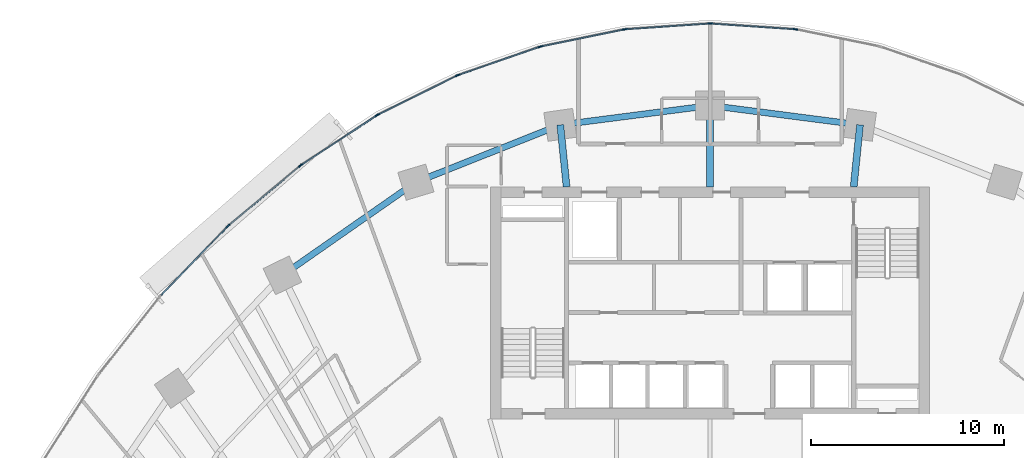
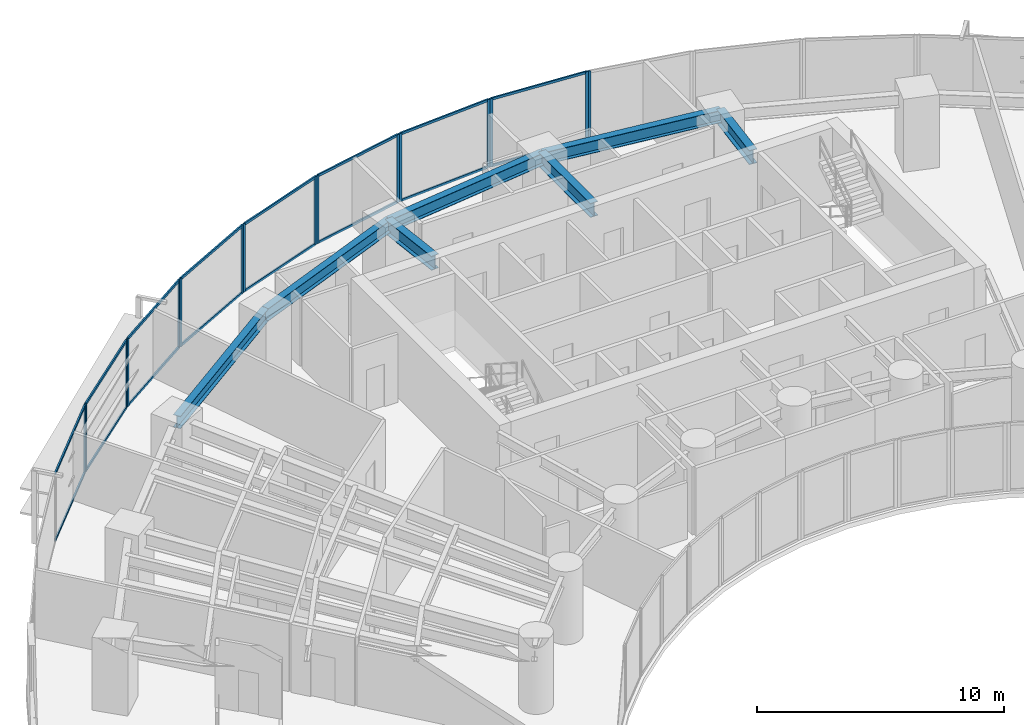
# One storey, part 6 of 17: 32 members, 7 beams, 9 elements without a shape of their own.
"""IFC4 building model written with IfcOpenShell, lengths in metres."""

from ifc_helpers import new_model, si_unit, direction, frame, origin, origin_2d, place, context, subcontext, project, spatial, rectangle, i_section, extrude, source, transform, mapped, material, layer, layer_set, material_profile, profile_set, type_object, type_shapes, element, aggregate, save


model = new_model("IFC4")

# Units and contexts
model_context = context("Model", 3, precision=1e-05, world=origin(), true_north=direction((0.0, 1.0)))
body_context = subcontext(model_context, "Body", "Model", "MODEL_VIEW")
ifc_project = project(units=[si_unit("LENGTHUNIT", "METRE"), si_unit("AREAUNIT", "SQUARE_METRE"), si_unit("VOLUMEUNIT", "CUBIC_METRE"), si_unit("PLANEANGLEUNIT", "RADIAN"), si_unit("MASSUNIT", "GRAM", prefix="KILO")], contexts=[model_context])

# Site, building, storey
site_placement = place(None, origin())
site = spatial("IfcSite", under=ifc_project, at=site_placement, CompositionType="ELEMENT")
building_placement = place(site_placement, origin())
building = spatial("IfcBuilding", under=site, at=building_placement, Name="Breltana Convention Tower", CompositionType="ELEMENT")
storey_placement = place(building_placement, frame((0.0, 0.0, 46.199951171875)))
storey = spatial("IfcBuildingStorey", under=building, at=storey_placement, Name="L09", CompositionType="ELEMENT", Elevation=46.199951171875)

# Beams
ifc_material_1 = material(Name="Steel ASTM A992 Grade 50", Category="steel")
ifc_material_profile_1 = material_profile(ifc_material_1, i_section(OverallWidth=0.323974609375, OverallDepth=0.611083984375, WebThickness=0.0126953125, FlangeThickness=0.01904296875, at=origin_2d()), Name="W24X104")
ifc_profile_set_1 = profile_set([ifc_material_profile_1], Name="Steel ASTM A992 Grade 50")
beam_type_1 = type_object("IfcBeamType", Name="BM-SP-W24X104", PredefinedType="SPANDREL", material=ifc_profile_set_1)
shared_shape_1 = source(origin(), body_context, "Body", "SweptSolid", [
    extrude(i_section(OverallWidth=0.323974609375, OverallDepth=0.611083984375, WebThickness=0.0126953125, FlangeThickness=0.01904296875, at=origin_2d()), origin(), (0.0, 0.0, 1.0), 8.4169921875),
])
beam_1_placement = place(storey_placement, frame((25.8876953125, 67.626953125, 3.054443359375), z_axis=(0.820173800102, 0.572114444519, 0.0), x_axis=(-0.572114444519, 0.820173800102, 0.0)))
element("IfcBeam", 1, at=beam_1_placement, inside=storey, type_object=beam_type_1, Name="L09 Outer Spandrel Beam 03", PredefinedType="SPANDREL", context=body_context, shape_type="MappedRepresentation", body=[
    mapped(shared_shape_1, transform((0.0, 0.0, 0.0), scale=1.0)),
])
shared_shape_2 = source(origin(), body_context, "Body", "SweptSolid", [
    extrude(i_section(OverallWidth=0.323974609375, OverallDepth=0.611083984375, WebThickness=0.0126953125, FlangeThickness=0.01904296875, at=origin_2d()), origin(), (0.0, 0.0, 1.0), 8.028564453125),
])
beam_2_placement = place(storey_placement, frame((32.791015625, 72.4423828125, 3.054443359375), z_axis=(0.929459100394, 0.368925169507, 0.0), x_axis=(-0.368925169507, 0.929459100394, 0.0)))
element("IfcBeam", 2, at=beam_2_placement, inside=storey, type_object=beam_type_1, Name="L09 Outer Spandrel Beam 04", PredefinedType="SPANDREL", context=body_context, shape_type="MappedRepresentation", body=[
    mapped(shared_shape_2, transform((0.0, 0.0, 0.0), scale=1.0)),
])
shared_shape_3 = source(origin(), body_context, "Body", "SweptSolid", [
    extrude(i_section(OverallWidth=0.323974609375, OverallDepth=0.611083984375, WebThickness=0.0126953125, FlangeThickness=0.01904296875, at=origin_2d()), origin(), (0.0, 0.0, 1.0), 7.81103515625),
])
for number, where, z_axis, x_axis, name in (
    (3, (40.253173828125, 75.404296875, 3.054443359375), (0.991775179127, 0.127992164083, 0.0), (-0.127992164083, 0.991775179127, 0.0), "L09 Outer Spandrel Beam 05"),
    (4, (48.0, 76.404052734375, 3.054443359375), (0.991775179127, -0.127992164083, 0.0), (0.127992164083, 0.991775179127, 0.0), "L09 Outer Spandrel Beam 06"),
):
    element("IfcBeam", number, at=place(storey_placement, frame(where, z_axis=z_axis, x_axis=x_axis)), inside=storey, type_object=beam_type_1, Name=name, PredefinedType="SPANDREL", context=body_context, shape_type="MappedRepresentation", body=[
        mapped(shared_shape_3, transform((0.0, 0.0, 0.0), scale=1.0)),
    ])
ifc_material_profile_2 = material_profile(ifc_material_1, i_section(OverallWidth=0.35498046875, OverallDepth=0.696044921875, WebThickness=0.015380859375, FlangeThickness=0.02490234375, at=origin_2d()), Name="W27X146")
ifc_profile_set_2 = profile_set([ifc_material_profile_2], Name="Steel ASTM A992 Grade 50")
beam_type_2 = type_object("IfcBeamType", Name="BM-RG-W27X146", PredefinedType="USERDEFINED", material=ifc_profile_set_2)
shared_shape_4 = source(origin(), body_context, "Body", "SweptSolid", [
    extrude(i_section(OverallWidth=0.35498046875, OverallDepth=0.696044921875, WebThickness=0.015380859375, FlangeThickness=0.02490234375, at=origin_2d()), origin(), (0.0, 0.0, 1.0), 3.220947265625),
])
for number, where, z_axis, x_axis, name in (
    (5, (40.580078125, 72.199951171875, 3.011962890625), (-0.101492254858, 0.994836329355, 0.0), (-0.994836329355, -0.101492254858, 0.0), "L09 North Core Radial Girder R05"),
    (6, (55.419921875, 72.199951171875, 3.011962890625), (0.101492254858, 0.994836329355, 0.0), (-0.994836329355, 0.101492254858, 0.0), "L09 North Core Radial Girder R07"),
):
    element("IfcBeam", number, at=place(storey_placement, frame(where, z_axis=z_axis, x_axis=x_axis)), inside=storey, type_object=beam_type_2, Name=name, ObjectType="GIRDER", PredefinedType="USERDEFINED", context=body_context, shape_type="MappedRepresentation", body=[
        mapped(shared_shape_4, transform((0.0, 0.0, 0.0), scale=1.0)),
    ])
shared_shape_5 = source(origin(), body_context, "Body", "SweptSolid", [
    extrude(i_section(OverallWidth=0.35498046875, OverallDepth=0.696044921875, WebThickness=0.015380859375, FlangeThickness=0.02490234375, at=origin_2d()), origin(), (0.0, 0.0, 1.0), 4.2041015625),
])
beam_3_placement = place(storey_placement, frame((48.0, 72.199951171875, 3.011962890625), z_axis=(0.0, 1.0, 0.0), x_axis=(-1.0, 0.0, 0.0)))
element("IfcBeam", 7, at=beam_3_placement, inside=storey, type_object=beam_type_2, Name="L09 North Core Radial Girder R06", ObjectType="GIRDER", PredefinedType="USERDEFINED", context=body_context, shape_type="MappedRepresentation", body=[
    mapped(shared_shape_5, transform((0.0, 0.0, 0.0), scale=1.0)),
])

# Curtain wall, member
ifc_material_2 = material(Name="Aluminium Anodised Bronze Frame", Category="aluminium")
ifc_layer = layer(ifc_material_2, 0.199951171875, Name="Aluminium Anodised Bronze Frame")
ifc_layer_set = layer_set([ifc_layer], Name="Aluminium Anodised Bronze Frame")
curtain_wall_type = type_object("IfcCurtainWallType", Name="CW-SYS-2", PredefinedType="NOTDEFINED", material=ifc_layer_set)
curtain_wall_1_placement = place(storey_placement, origin())
curtain_wall_1 = element("IfcCurtainWall", 8, at=curtain_wall_1_placement, inside=storey, type_object=curtain_wall_type, Name="L09 outer double-skin inner glazing 3", PredefinedType="NOTDEFINED")
ifc_material_3 = material(Name="Aluminium Anodised Bronze", Category="aluminium")
ifc_material_profile_3 = material_profile(ifc_material_3, rectangle(XDim=0.070068359375, YDim=0.175048828125, at=origin_2d()), Name="CWM-70X175")
ifc_profile_set_3 = profile_set([ifc_material_profile_3], Name="Aluminium Anodised Bronze")
member_type_1 = type_object("IfcMemberType", Name="CWM-175", PredefinedType="MULLION", material=ifc_profile_set_3)
shared_shape_6 = source(origin(), body_context, "Body", "SweptSolid", [
    extrude(rectangle(XDim=0.070068359375, YDim=0.175048828125, at=origin_2d()), origin(), (0.0, 0.0, 1.0), 3.360107421875),
])
type_shapes(member_type_1, [shared_shape_6])
member_1_placement = place(storey_placement, frame((23.044189453125, 70.147705078125, 0.0), z_axis=(0.0, 0.0, 1.0), x_axis=(-0.719386421003, 0.694610090106, 0.0)))
member_1 = element("IfcMember", 9, at=member_1_placement, type_object=member_type_1, Name="CW-02 mullion 2", PredefinedType="MULLION", context=body_context, shape_type="MappedRepresentation", body=[
    mapped(shared_shape_6, transform((0.0, 0.0, 0.0), scale=1.0)),
])

# Curtain wall, members
curtain_wall_2_placement = place(storey_placement, origin())
curtain_wall_2 = element("IfcCurtainWall", 10, at=curtain_wall_2_placement, inside=storey, type_object=curtain_wall_type, Name="L09 outer double-skin inner glazing 4", PredefinedType="NOTDEFINED")
member_2_placement = place(storey_placement, frame((23.09521484375, 70.1953125, 0.0), z_axis=(0.0, 0.0, 1.0), x_axis=(-0.640520193554, 0.767941326958, 0.0)))
member_2 = element("IfcMember", 11, at=member_2_placement, type_object=member_type_1, Name="CW-02 mullion 1", PredefinedType="MULLION", context=body_context, shape_type="MappedRepresentation", body=[
    mapped(shared_shape_6, transform((0.0, 0.0, 0.0), scale=1.0)),
])
member_3_placement = place(storey_placement, frame((26.79736328125, 73.283203125, 0.0), z_axis=(0.0, 0.0, 1.0), x_axis=(-0.640520193554, 0.767941326958, 0.0)))
member_3 = element("IfcMember", 12, at=member_3_placement, type_object=member_type_1, Name="CW-02 mullion 2", PredefinedType="MULLION", context=body_context, shape_type="MappedRepresentation", body=[
    mapped(shared_shape_6, transform((0.0, 0.0, 0.0), scale=1.0)),
])

curtain_wall_3_placement = place(storey_placement, origin())
curtain_wall_3 = element("IfcCurtainWall", 13, at=curtain_wall_3_placement, inside=storey, type_object=curtain_wall_type, Name="L09 outer double-skin inner glazing 5", PredefinedType="NOTDEFINED")
member_4_placement = place(storey_placement, frame((26.853515625, 73.32470703125, 0.0), z_axis=(0.0, 0.0, 1.0), x_axis=(-0.548784255746, 0.83596401875, 0.0)))
member_4 = element("IfcMember", 14, at=member_4_placement, type_object=member_type_1, Name="CW-02 mullion 1", PredefinedType="MULLION", context=body_context, shape_type="MappedRepresentation", body=[
    mapped(shared_shape_6, transform((0.0, 0.0, 0.0), scale=1.0)),
])
member_5_placement = place(storey_placement, frame((30.766357421875, 75.8935546875, 0.0), z_axis=(0.0, 0.0, 1.0), x_axis=(-0.548784255746, 0.83596401875, 0.0)))
member_5 = element("IfcMember", 15, at=member_5_placement, type_object=member_type_1, Name="CW-02 mullion 2", PredefinedType="MULLION", context=body_context, shape_type="MappedRepresentation", body=[
    mapped(shared_shape_6, transform((0.0, 0.0, 0.0), scale=1.0)),
])

curtain_wall_4_placement = place(storey_placement, origin())
curtain_wall_4 = element("IfcCurtainWall", 16, at=curtain_wall_4_placement, inside=storey, type_object=curtain_wall_type, Name="L09 outer double-skin inner glazing 6", PredefinedType="NOTDEFINED")
member_6_placement = place(storey_placement, frame((30.8271484375, 75.92822265625, 0.0), z_axis=(0.0, 0.0, 1.0), x_axis=(-0.444107703726, 0.895973407804, 0.0)))
member_6 = element("IfcMember", 17, at=member_6_placement, type_object=member_type_1, Name="CW-02 mullion 1", PredefinedType="MULLION", context=body_context, shape_type="MappedRepresentation", body=[
    mapped(shared_shape_6, transform((0.0, 0.0, 0.0), scale=1.0)),
])
member_7_placement = place(storey_placement, frame((34.910400390625, 77.9521484375, 0.0), z_axis=(0.0, 0.0, 1.0), x_axis=(-0.444107703726, 0.895973407804, 0.0)))
member_7 = element("IfcMember", 18, at=member_7_placement, type_object=member_type_1, Name="CW-02 mullion 2", PredefinedType="MULLION", context=body_context, shape_type="MappedRepresentation", body=[
    mapped(shared_shape_6, transform((0.0, 0.0, 0.0), scale=1.0)),
])

curtain_wall_5_placement = place(storey_placement, origin())
curtain_wall_5 = element("IfcCurtainWall", 19, at=curtain_wall_5_placement, inside=storey, type_object=curtain_wall_type, Name="L09 outer double-skin inner glazing 7", PredefinedType="NOTDEFINED")
member_8_placement = place(storey_placement, frame((34.974853515625, 77.979248046875, 0.0), z_axis=(0.0, 0.0, 1.0), x_axis=(-0.32742834581, 0.944876012163, 0.0)))
member_8 = element("IfcMember", 20, at=member_8_placement, type_object=member_type_1, Name="CW-02 mullion 1", PredefinedType="MULLION", context=body_context, shape_type="MappedRepresentation", body=[
    mapped(shared_shape_6, transform((0.0, 0.0, 0.0), scale=1.0)),
])
member_9_placement = place(storey_placement, frame((39.1875, 79.43896484375, 0.0), z_axis=(0.0, 0.0, 1.0), x_axis=(-0.32742834581, 0.944876012163, 0.0)))
member_9 = element("IfcMember", 21, at=member_9_placement, type_object=member_type_1, Name="CW-02 mullion 2", PredefinedType="MULLION", context=body_context, shape_type="MappedRepresentation", body=[
    mapped(shared_shape_6, transform((0.0, 0.0, 0.0), scale=1.0)),
])

curtain_wall_6_placement = place(storey_placement, origin())
curtain_wall_6 = element("IfcCurtainWall", 22, at=curtain_wall_6_placement, inside=storey, type_object=curtain_wall_type, Name="L09 outer double-skin inner glazing 8", PredefinedType="NOTDEFINED")
member_10_placement = place(storey_placement, frame((39.2548828125, 79.45751953125, 0.0), z_axis=(0.0, 0.0, 1.0), x_axis=(-0.200884537139, 0.979614925743, 0.0)))
member_10 = element("IfcMember", 23, at=member_10_placement, type_object=member_type_1, Name="CW-02 mullion 1", PredefinedType="MULLION", context=body_context, shape_type="MappedRepresentation", body=[
    mapped(shared_shape_6, transform((0.0, 0.0, 0.0), scale=1.0)),
])
member_11_placement = place(storey_placement, frame((43.5537109375, 80.339111328125, 0.0), z_axis=(0.0, 0.0, 1.0), x_axis=(-0.200884537139, 0.979614925743, 0.0)))
member_11 = element("IfcMember", 24, at=member_11_placement, type_object=member_type_1, Name="CW-02 mullion 2", PredefinedType="MULLION", context=body_context, shape_type="MappedRepresentation", body=[
    mapped(shared_shape_6, transform((0.0, 0.0, 0.0), scale=1.0)),
])

curtain_wall_7_placement = place(storey_placement, origin())
curtain_wall_7 = element("IfcCurtainWall", 25, at=curtain_wall_7_placement, inside=storey, type_object=curtain_wall_type, Name="L09 outer double-skin inner glazing 9", PredefinedType="NOTDEFINED")
member_12_placement = place(storey_placement, frame((43.622802734375, 80.348388671875, 0.0), z_axis=(0.0, 0.0, 1.0), x_axis=(-0.067725650529, 0.997703982282, 0.0)))
member_12 = element("IfcMember", 26, at=member_12_placement, type_object=member_type_1, Name="CW-02 mullion 1", PredefinedType="MULLION", context=body_context, shape_type="MappedRepresentation", body=[
    mapped(shared_shape_6, transform((0.0, 0.0, 0.0), scale=1.0)),
])
member_13_placement = place(storey_placement, frame((47.965087890625, 80.643310546875, 0.0), z_axis=(0.0, 0.0, 1.0), x_axis=(-0.067725650529, 0.997703982282, 0.0)))
member_13 = element("IfcMember", 27, at=member_13_placement, type_object=member_type_1, Name="CW-02 mullion 2", PredefinedType="MULLION", context=body_context, shape_type="MappedRepresentation", body=[
    mapped(shared_shape_6, transform((0.0, 0.0, 0.0), scale=1.0)),
])

curtain_wall_8_placement = place(storey_placement, origin())
curtain_wall_8 = element("IfcCurtainWall", 28, at=curtain_wall_8_placement, inside=storey, type_object=curtain_wall_type, Name="L09 outer double-skin inner glazing 10", PredefinedType="NOTDEFINED")
member_14_placement = place(storey_placement, frame((48.034912109375, 80.643310546875, 0.0), z_axis=(0.0, 0.0, 1.0), x_axis=(0.067725650529, 0.997703982282, 0.0)))
member_14 = element("IfcMember", 29, at=member_14_placement, type_object=member_type_1, Name="CW-02 mullion 1", PredefinedType="MULLION", context=body_context, shape_type="MappedRepresentation", body=[
    mapped(shared_shape_6, transform((0.0, 0.0, 0.0), scale=1.0)),
])
member_15_placement = place(storey_placement, frame((52.377197265625, 80.348388671875, 0.0), z_axis=(0.0, 0.0, 1.0), x_axis=(0.067725650529, 0.997703982282, 0.0)))
member_15 = element("IfcMember", 30, at=member_15_placement, type_object=member_type_1, Name="CW-02 mullion 2", PredefinedType="MULLION", context=body_context, shape_type="MappedRepresentation", body=[
    mapped(shared_shape_6, transform((0.0, 0.0, 0.0), scale=1.0)),
])

# Curtain wall, member
curtain_wall_9_placement = place(storey_placement, origin())
curtain_wall_9 = element("IfcCurtainWall", 31, at=curtain_wall_9_placement, inside=storey, type_object=curtain_wall_type, Name="L09 outer double-skin inner glazing 11", PredefinedType="NOTDEFINED")
member_16_placement = place(storey_placement, frame((52.4462890625, 80.339111328125, 0.0), z_axis=(0.0, 0.0, 1.0), x_axis=(0.200884537139, 0.979614925743, 0.0)))
member_16 = element("IfcMember", 32, at=member_16_placement, type_object=member_type_1, Name="CW-02 mullion 1", PredefinedType="MULLION", context=body_context, shape_type="MappedRepresentation", body=[
    mapped(shared_shape_6, transform((0.0, 0.0, 0.0), scale=1.0)),
])
aggregate(curtain_wall_9, [member_16])

# Member
ifc_material_profile_4 = material_profile(ifc_material_3, rectangle(XDim=0.070068359375, YDim=0.1201171875, at=origin_2d()), Name="CWT-70X120")
ifc_profile_set_4 = profile_set([ifc_material_profile_4], Name="Aluminium Anodised Bronze")
member_type_2 = type_object("IfcMemberType", Name="CWT-120", PredefinedType="USERDEFINED", material=ifc_profile_set_4)
shared_shape_7 = source(origin(), body_context, "Body", "SweptSolid", [
    extrude(rectangle(XDim=0.070068359375, YDim=0.1201171875, at=origin_2d()), origin(), (0.0, 0.0, 1.0), 4.901123046875),
])
member_17_placement = place(storey_placement, frame((19.615478515625, 66.5966796875, 0.03515625), z_axis=(0.6945945137, 0.719401460617, 0.0), x_axis=(-0.719401460617, 0.6945945137, 0.0)))
member_17 = element("IfcMember", 33, at=member_17_placement, type_object=member_type_2, Name="CW-02 transom 1.1", ObjectType="TRANSOM", PredefinedType="USERDEFINED", context=body_context, shape_type="MappedRepresentation", body=[
    mapped(shared_shape_7, transform((0.0, 0.0, 0.0), scale=1.0)),
])

member_18_placement = place(storey_placement, frame((19.615478515625, 66.5966796875, 3.324951171875), z_axis=(0.6945945137, 0.719401460617, 0.0), x_axis=(-0.719401460617, 0.6945945137, 0.0)))
member_18 = element("IfcMember", 34, at=member_18_placement, type_object=member_type_2, Name="CW-02 transom 1.2", ObjectType="TRANSOM", PredefinedType="USERDEFINED", context=body_context, shape_type="MappedRepresentation", body=[
    mapped(shared_shape_7, transform((0.0, 0.0, 0.0), scale=1.0)),
])

aggregate(curtain_wall_1, [member_1, member_17, member_18])

shared_shape_8 = source(origin(), body_context, "Body", "SweptSolid", [
    extrude(rectangle(XDim=0.070068359375, YDim=0.1201171875, at=origin_2d()), origin(), (0.0, 0.0, 1.0), 4.7509765625),
])
member_19_placement = place(storey_placement, frame((23.1220703125, 70.2177734375, 0.03515625), z_axis=(0.767951631807, 0.64050783852, 0.0), x_axis=(-0.64050783852, 0.767951631807, 0.0)))
member_19 = element("IfcMember", 35, at=member_19_placement, type_object=member_type_2, Name="CW-02 transom 1.1", ObjectType="TRANSOM", PredefinedType="USERDEFINED", context=body_context, shape_type="MappedRepresentation", body=[
    mapped(shared_shape_8, transform((0.0, 0.0, 0.0), scale=1.0)),
])

member_20_placement = place(storey_placement, frame((23.1220703125, 70.2177734375, 3.324951171875), z_axis=(0.767951631807, 0.64050783852, 0.0), x_axis=(-0.64050783852, 0.767951631807, 0.0)))
member_20 = element("IfcMember", 36, at=member_20_placement, type_object=member_type_2, Name="CW-02 transom 1.2", ObjectType="TRANSOM", PredefinedType="USERDEFINED", context=body_context, shape_type="MappedRepresentation", body=[
    mapped(shared_shape_8, transform((0.0, 0.0, 0.0), scale=1.0)),
])

aggregate(curtain_wall_2, [member_2, member_3, member_19, member_20])

shared_shape_9 = source(origin(), body_context, "Body", "SweptSolid", [
    extrude(rectangle(XDim=0.070068359375, YDim=0.1201171875, at=origin_2d()), origin(), (0.0, 0.0, 1.0), 4.610595703125),
])
member_21_placement = place(storey_placement, frame((26.8828125, 73.343994140625, 0.03515625), z_axis=(0.835956055104, 0.54879638659, 0.0), x_axis=(-0.54879638659, 0.835956055104, 0.0)))
member_21 = element("IfcMember", 37, at=member_21_placement, type_object=member_type_2, Name="CW-02 transom 1.1", ObjectType="TRANSOM", PredefinedType="USERDEFINED", context=body_context, shape_type="MappedRepresentation", body=[
    mapped(shared_shape_9, transform((0.0, 0.0, 0.0), scale=1.0)),
])

member_22_placement = place(storey_placement, frame((26.8828125, 73.343994140625, 3.324951171875), z_axis=(0.835956055104, 0.54879638659, 0.0), x_axis=(-0.54879638659, 0.835956055104, 0.0)))
member_22 = element("IfcMember", 38, at=member_22_placement, type_object=member_type_2, Name="CW-02 transom 1.2", ObjectType="TRANSOM", PredefinedType="USERDEFINED", context=body_context, shape_type="MappedRepresentation", body=[
    mapped(shared_shape_9, transform((0.0, 0.0, 0.0), scale=1.0)),
])

aggregate(curtain_wall_3, [member_4, member_5, member_21, member_22])

shared_shape_10 = source(origin(), body_context, "Body", "SweptSolid", [
    extrude(rectangle(XDim=0.070068359375, YDim=0.1201171875, at=origin_2d()), origin(), (0.0, 0.0, 1.0), 4.487548828125),
])
member_23_placement = place(storey_placement, frame((30.8583984375, 75.94384765625, 0.03515625), z_axis=(0.895977728863, 0.444098986017, 0.0), x_axis=(-0.444098986017, 0.895977728863, 0.0)))
member_23 = element("IfcMember", 39, at=member_23_placement, type_object=member_type_2, Name="CW-02 transom 1.1", ObjectType="TRANSOM", PredefinedType="USERDEFINED", context=body_context, shape_type="MappedRepresentation", body=[
    mapped(shared_shape_10, transform((0.0, 0.0, 0.0), scale=1.0)),
])

member_24_placement = place(storey_placement, frame((30.8583984375, 75.94384765625, 3.324951171875), z_axis=(0.895977728863, 0.444098986017, 0.0), x_axis=(-0.444098986017, 0.895977728863, 0.0)))
member_24 = element("IfcMember", 40, at=member_24_placement, type_object=member_type_2, Name="CW-02 transom 1.2", ObjectType="TRANSOM", PredefinedType="USERDEFINED", context=body_context, shape_type="MappedRepresentation", body=[
    mapped(shared_shape_10, transform((0.0, 0.0, 0.0), scale=1.0)),
])

aggregate(curtain_wall_4, [member_6, member_7, member_23, member_24])

shared_shape_11 = source(origin(), body_context, "Body", "SweptSolid", [
    extrude(rectangle(XDim=0.070068359375, YDim=0.1201171875, at=origin_2d()), origin(), (0.0, 0.0, 1.0), 4.38818359375),
])
member_25_placement = place(storey_placement, frame((35.008056640625, 77.99072265625, 0.03515625), z_axis=(0.944878203019, 0.32742202348, 0.0), x_axis=(-0.32742202348, 0.944878203019, 0.0)))
member_25 = element("IfcMember", 41, at=member_25_placement, type_object=member_type_2, Name="CW-02 transom 1.1", ObjectType="TRANSOM", PredefinedType="USERDEFINED", context=body_context, shape_type="MappedRepresentation", body=[
    mapped(shared_shape_11, transform((0.0, 0.0, 0.0), scale=1.0)),
])

member_26_placement = place(storey_placement, frame((35.008056640625, 77.99072265625, 3.324951171875), z_axis=(0.944878203019, 0.32742202348, 0.0), x_axis=(-0.32742202348, 0.944878203019, 0.0)))
member_26 = element("IfcMember", 42, at=member_26_placement, type_object=member_type_2, Name="CW-02 transom 1.2", ObjectType="TRANSOM", PredefinedType="USERDEFINED", context=body_context, shape_type="MappedRepresentation", body=[
    mapped(shared_shape_11, transform((0.0, 0.0, 0.0), scale=1.0)),
])

aggregate(curtain_wall_5, [member_8, member_9, member_25, member_26])

shared_shape_12 = source(origin(), body_context, "Body", "SweptSolid", [
    extrude(rectangle(XDim=0.070068359375, YDim=0.1201171875, at=origin_2d()), origin(), (0.0, 0.0, 1.0), 4.318359375),
])
member_27_placement = place(storey_placement, frame((39.2890625, 79.464599609375, 0.03515625), z_axis=(0.979616680923, 0.200875977799, 0.0), x_axis=(-0.200875977799, 0.979616680923, 0.0)))
member_27 = element("IfcMember", 43, at=member_27_placement, type_object=member_type_2, Name="CW-02 transom 1.1", ObjectType="TRANSOM", PredefinedType="USERDEFINED", context=body_context, shape_type="MappedRepresentation", body=[
    mapped(shared_shape_12, transform((0.0, 0.0, 0.0), scale=1.0)),
])

member_28_placement = place(storey_placement, frame((39.2890625, 79.464599609375, 3.324951171875), z_axis=(0.979616680923, 0.200875977799, 0.0), x_axis=(-0.200875977799, 0.979616680923, 0.0)))
member_28 = element("IfcMember", 44, at=member_28_placement, type_object=member_type_2, Name="CW-02 transom 1.2", ObjectType="TRANSOM", PredefinedType="USERDEFINED", context=body_context, shape_type="MappedRepresentation", body=[
    mapped(shared_shape_12, transform((0.0, 0.0, 0.0), scale=1.0)),
])

aggregate(curtain_wall_6, [member_10, member_11, member_27, member_28])

shared_shape_13 = source(origin(), body_context, "Body", "SweptSolid", [
    extrude(rectangle(XDim=0.070068359375, YDim=0.1201171875, at=origin_2d()), origin(), (0.0, 0.0, 1.0), 4.2822265625),
])
member_29_placement = place(storey_placement, frame((43.65771484375, 80.350830078125, 0.03515625), z_axis=(0.997703698684, 0.067729828231, 0.0), x_axis=(-0.067729828231, 0.997703698684, 0.0)))
member_29 = element("IfcMember", 45, at=member_29_placement, type_object=member_type_2, Name="CW-02 transom 1.1", ObjectType="TRANSOM", PredefinedType="USERDEFINED", context=body_context, shape_type="MappedRepresentation", body=[
    mapped(shared_shape_13, transform((0.0, 0.0, 0.0), scale=1.0)),
])

member_30_placement = place(storey_placement, frame((43.65771484375, 80.350830078125, 3.324951171875), z_axis=(0.997703698684, 0.067729828231, 0.0), x_axis=(-0.067729828231, 0.997703698684, 0.0)))
member_30 = element("IfcMember", 46, at=member_30_placement, type_object=member_type_2, Name="CW-02 transom 1.2", ObjectType="TRANSOM", PredefinedType="USERDEFINED", context=body_context, shape_type="MappedRepresentation", body=[
    mapped(shared_shape_13, transform((0.0, 0.0, 0.0), scale=1.0)),
])

aggregate(curtain_wall_7, [member_12, member_13, member_29, member_30])

member_31_placement = place(storey_placement, frame((48.06982421875, 80.640869140625, 0.03515625), z_axis=(0.997703698684, -0.067729828231, 0.0), x_axis=(0.067729828231, 0.997703698684, 0.0)))
member_31 = element("IfcMember", 47, at=member_31_placement, type_object=member_type_2, Name="CW-02 transom 1.1", ObjectType="TRANSOM", PredefinedType="USERDEFINED", context=body_context, shape_type="MappedRepresentation", body=[
    mapped(shared_shape_13, transform((0.0, 0.0, 0.0), scale=1.0)),
])

member_32_placement = place(storey_placement, frame((48.06982421875, 80.640869140625, 3.324951171875), z_axis=(0.997703698684, -0.067729828231, 0.0), x_axis=(0.067729828231, 0.997703698684, 0.0)))
member_32 = element("IfcMember", 48, at=member_32_placement, type_object=member_type_2, Name="CW-02 transom 1.2", ObjectType="TRANSOM", PredefinedType="USERDEFINED", context=body_context, shape_type="MappedRepresentation", body=[
    mapped(shared_shape_13, transform((0.0, 0.0, 0.0), scale=1.0)),
])

aggregate(curtain_wall_8, [member_14, member_15, member_31, member_32])

save(model, "model.ifc")
